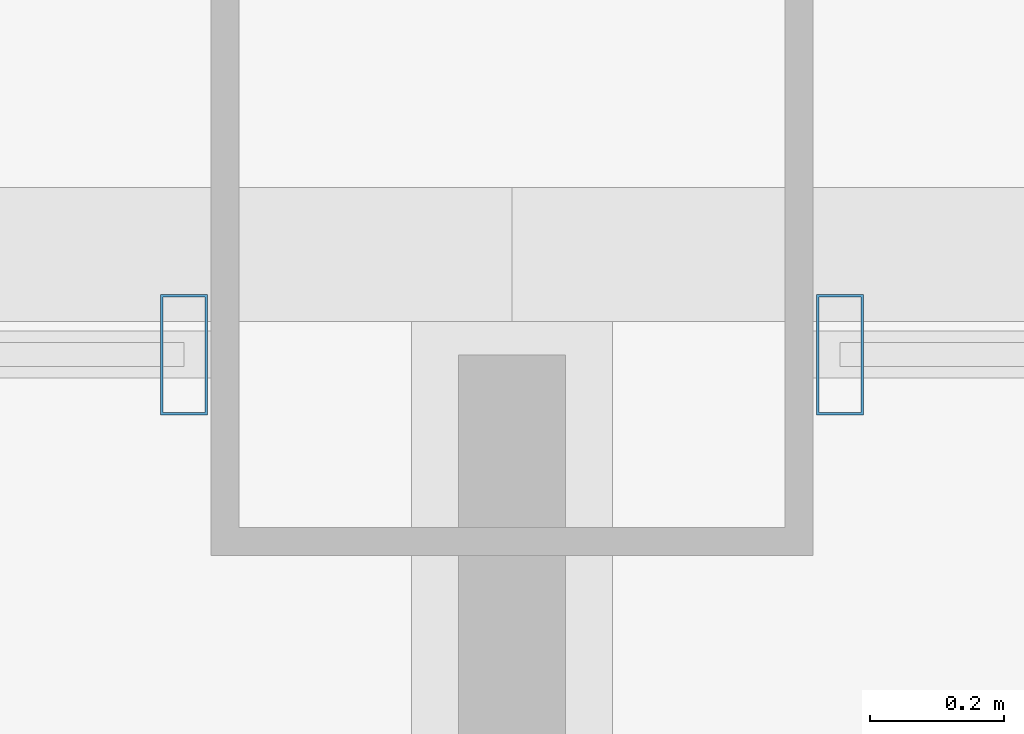
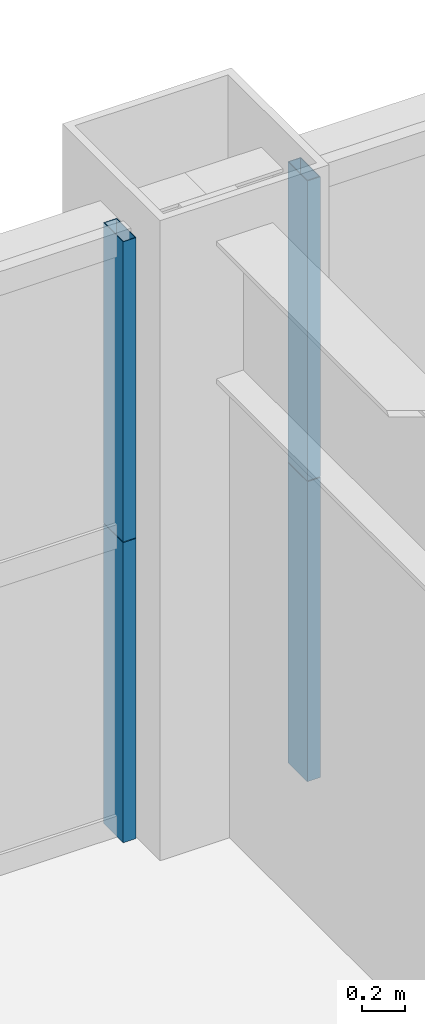
# One storey, part 31 of 45: 4 members, 2 elements without a shape of their own.
"""IFC4 building model written with IfcOpenShell, lengths in metres."""

from ifc_helpers import new_model, si_unit, direction, frame, origin, origin_2d, place, context, subcontext, project, spatial, hollow_rectangle, extrude, source, transform, mapped, material, layer, layer_set, material_profile, profile_set, type_object, element, aggregate, save


model = new_model("IFC4")

# Units and contexts
model_context = context("Model", 3, precision=1e-05, world=origin(), true_north=direction((0.0, 1.0)))
body_context = subcontext(model_context, "Body", "Model", "MODEL_VIEW")
ifc_project = project(units=[si_unit("LENGTHUNIT", "METRE"), si_unit("AREAUNIT", "SQUARE_METRE"), si_unit("VOLUMEUNIT", "CUBIC_METRE"), si_unit("PLANEANGLEUNIT", "RADIAN"), si_unit("MASSUNIT", "GRAM", prefix="KILO"), si_unit("THERMODYNAMICTEMPERATUREUNIT", "KELVIN"), si_unit("POWERUNIT", "WATT")], contexts=[model_context])

# Site, building, storey
site_placement = place(None, origin())
site = spatial("IfcSite", under=ifc_project, at=site_placement, CompositionType="ELEMENT")
building_placement = place(site_placement, origin())
building = spatial("IfcBuilding", under=site, at=building_placement, Name="Yuzanri Waterfront Tower", CompositionType="ELEMENT")
storey_placement = place(building_placement, frame((0.0, 0.0, 34.199951171875)))
storey = spatial("IfcBuildingStorey", under=building, at=storey_placement, Name="L08", CompositionType="ELEMENT", Elevation=34.199951171875)

# Curtain wall, members
ifc_material_1 = material(Name="Anodized Architectural Bronze", Category="metal")
ifc_layer = layer(ifc_material_1, 0.159912109375)
ifc_layer_set = layer_set([ifc_layer], Name="Anodized Architectural Bronze")
curtain_wall_type = type_object("IfcCurtainWallType", Name="Anodized Bronze Hotel Lower-Tier Recessed Unitized Curtain Wall 8100", PredefinedType="NOTDEFINED", material=ifc_layer_set)
curtain_wall_1_placement = place(storey_placement, origin())
curtain_wall_1 = element("IfcCurtainWall", 1, at=curtain_wall_1_placement, inside=storey, type_object=curtain_wall_type, Name="L08 Curtain Wall CW-L08-NL", PredefinedType="NOTDEFINED")
ifc_material_2 = material(Name="Anodized Architectural Bronze", Category="metal")
ifc_material_profile = material_profile(ifc_material_2, hollow_rectangle(XDim=0.070068359375, YDim=0.179931640625, WallThickness=0.00390625, at=origin_2d()), Name="CWM 70x180")
ifc_profile_set = profile_set([ifc_material_profile], Name="Anodized Architectural Bronze")
member_type = type_object("IfcMemberType", Name="Anodized Bronze Standard Curtain-Wall Mullion 70x180", PredefinedType="MULLION", material=ifc_profile_set)
shared_shape = source(origin(), body_context, "Body", "SweptSolid", [
    extrude(hollow_rectangle(XDim=0.070068359375, YDim=0.179931640625, WallThickness=0.00390625, at=origin_2d()), origin(), (0.0, 0.0, 1.0), 1.68798828125),
])
member_1_placement = place(storey_placement, frame((36.510009765625, 50.75, 0.0), z_axis=(0.0, 0.0, 1.0), x_axis=(1.0, 0.0, 0.0)))
member_1 = element("IfcMember", 2, at=member_1_placement, type_object=member_type, Name="CW-L08-NL Lower Mullion 02", PredefinedType="MULLION", context=body_context, shape_type="MappedRepresentation", body=[
    mapped(shared_shape, transform((0.0, 0.0, 0.0), scale=1.0)),
])
member_2_placement = place(storey_placement, frame((36.510009765625, 50.75, 1.692138671875), z_axis=(0.0, 0.0, 1.0), x_axis=(1.0, 0.0, 0.0)))
member_2 = element("IfcMember", 3, at=member_2_placement, type_object=member_type, Name="CW-L08-NL Upper Mullion 02", PredefinedType="MULLION", context=body_context, shape_type="MappedRepresentation", body=[
    mapped(shared_shape, transform((0.0, 0.0, 0.0), scale=1.0)),
])
aggregate(curtain_wall_1, [member_1, member_2])

curtain_wall_2_placement = place(storey_placement, origin())
curtain_wall_2 = element("IfcCurtainWall", 4, at=curtain_wall_2_placement, inside=storey, type_object=curtain_wall_type, Name="L08 Curtain Wall CW-L08-NR", PredefinedType="NOTDEFINED")
member_3_placement = place(storey_placement, frame((37.489990234375, 50.75, 0.0), z_axis=(0.0, 0.0, 1.0), x_axis=(1.0, 0.0, 0.0)))
member_3 = element("IfcMember", 5, at=member_3_placement, type_object=member_type, Name="CW-L08-NR Lower Mullion 00", PredefinedType="MULLION", context=body_context, shape_type="MappedRepresentation", body=[
    mapped(shared_shape, transform((0.0, 0.0, 0.0), scale=1.0)),
])
member_4_placement = place(storey_placement, frame((37.489990234375, 50.75, 1.692138671875), z_axis=(0.0, 0.0, 1.0), x_axis=(1.0, 0.0, 0.0)))
member_4 = element("IfcMember", 6, at=member_4_placement, type_object=member_type, Name="CW-L08-NR Upper Mullion 00", PredefinedType="MULLION", context=body_context, shape_type="MappedRepresentation", body=[
    mapped(shared_shape, transform((0.0, 0.0, 0.0), scale=1.0)),
])
aggregate(curtain_wall_2, [member_3, member_4])

save(model, "model.ifc")
